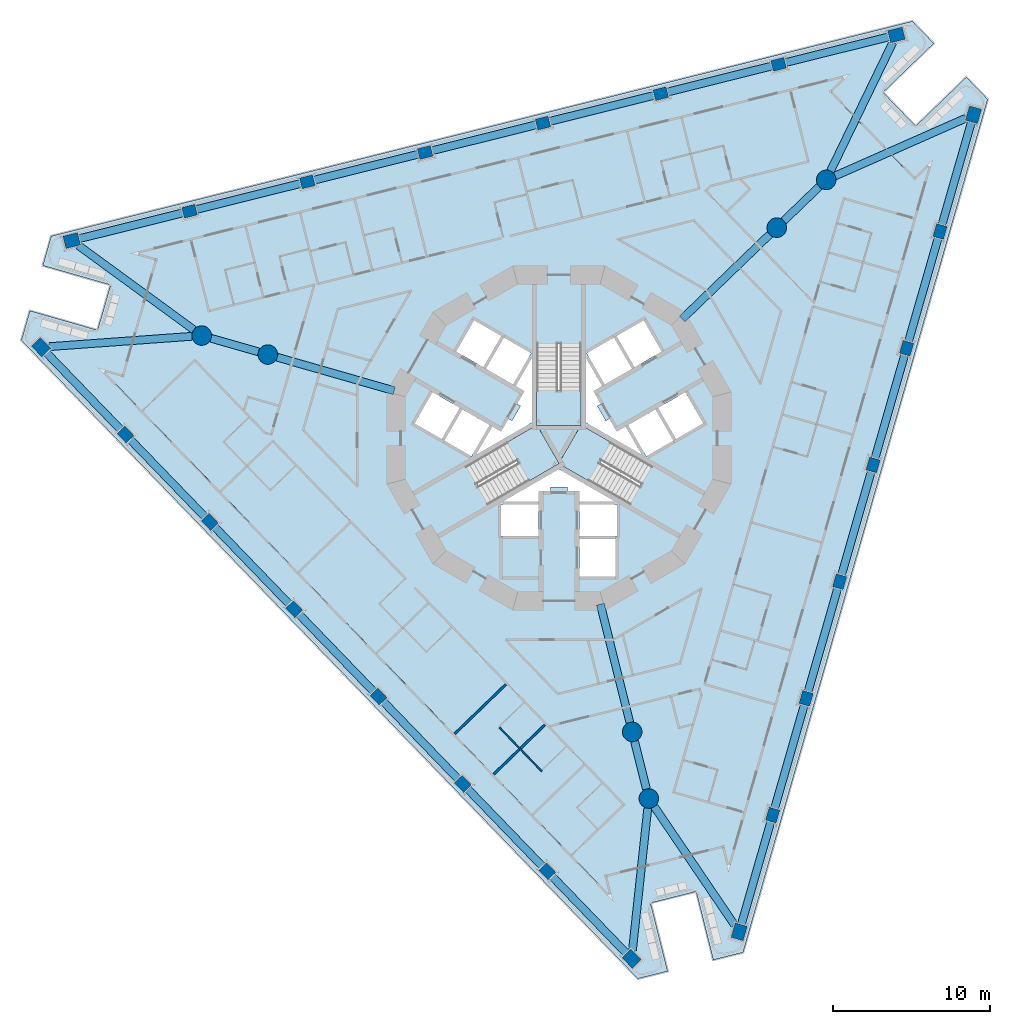
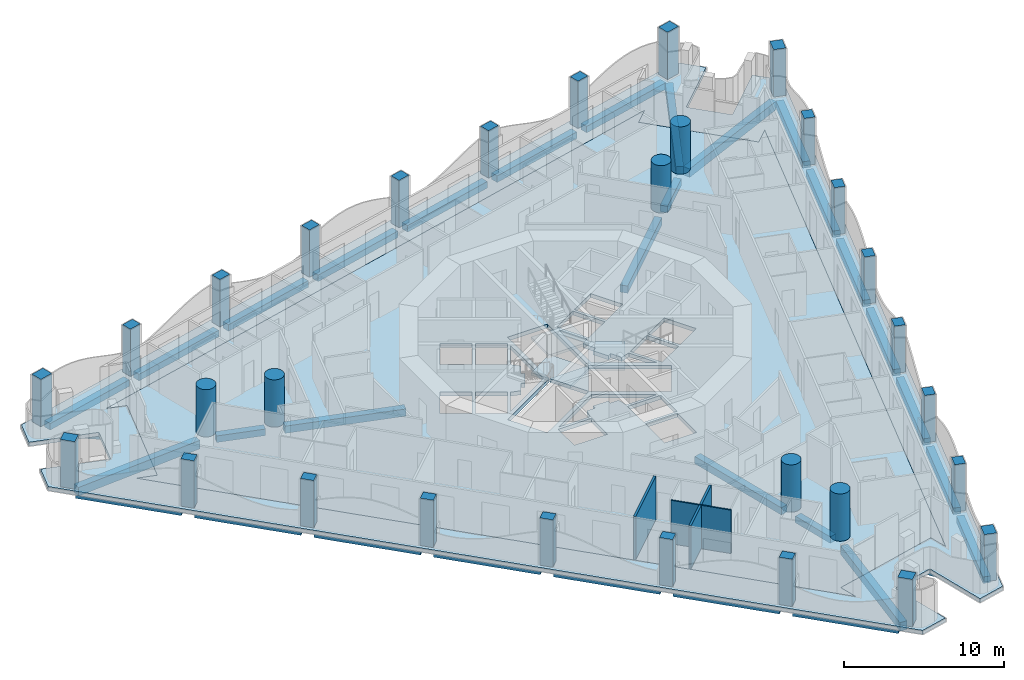
# One storey, part 1 of 18: 33 beams, 30 columns, 6 slabs, 3 walls, 3 elements without a shape of their own.
"""IFC4 building model written with IfcOpenShell, lengths in metres."""

from ifc_helpers import new_model, si_unit, direction, frame, frame_2d, origin, origin_2d, place, context, subcontext, project, spatial, polyline, rectangle, circle, outline, extrude, material, layer, layer_set, material_profile, profile_set, type_object, element, aggregate, save


model = new_model("IFC4")

# Units and contexts
model_context = context("Model", 3, precision=1e-05, world=origin(), true_north=direction((0.0, 1.0)))
body_context = subcontext(model_context, "Body", "Model", "MODEL_VIEW")
ifc_project = project(units=[si_unit("LENGTHUNIT", "METRE"), si_unit("AREAUNIT", "SQUARE_METRE"), si_unit("VOLUMEUNIT", "CUBIC_METRE"), si_unit("PLANEANGLEUNIT", "RADIAN"), si_unit("MASSUNIT", "GRAM", prefix="KILO")], contexts=[model_context])

# Site, building, storey
site_placement = place(None, origin())
site = spatial("IfcSite", under=ifc_project, at=site_placement, CompositionType="ELEMENT")
building_placement = place(site_placement, origin())
building = spatial("IfcBuilding", under=site, at=building_placement, Name="Trine Commons Tower", CompositionType="ELEMENT")
storey_placement = place(building_placement, frame((0.0, 0.0, 90.89990234375)))
storey = spatial("IfcBuildingStorey", under=building, at=storey_placement, Name="L22", CompositionType="ELEMENT", Elevation=90.89990234375)

# Columns
ifc_material_1 = material(Name="Concrete C70/85", Category="concrete")
ifc_material_profile_1 = material_profile(ifc_material_1, rectangle(XDim=0.85009765625, YDim=0.699951171875, at=origin_2d()), Name="RC 850x700")
ifc_profile_set_1 = profile_set([ifc_material_profile_1], Name="Concrete C70/85")
column_type_1 = type_object("IfcColumnType", Name="RC column 850x700, C70/85", PredefinedType="COLUMN", material=ifc_profile_set_1)
for number, where, z_axis, x_axis, name in (
    (1, (79.251708984375, 34.81640625, 0.0), (0.0, 0.0, 1.0), (-0.694658370459, 0.719339800339, 0.0), "Column PC3-02 L22"),
    (2, (73.86279296875, 40.396728515625, 0.0), (0.0, 0.0, 1.0), (-0.694658370459, 0.719339800339, 0.0), "Column PC3-03 L22"),
    (3, (68.473876953125, 45.977294921875, 0.0), (0.0, 0.0, 1.0), (-0.694658370459, 0.719339800339, 0.0), "Column PC3-04 L22"),
    (4, (63.0849609375, 51.5576171875, 0.0), (0.0, 0.0, 1.0), (-0.694658370459, 0.719339800339, 0.0), "Column PC3-05 L22"),
    (5, (57.696044921875, 57.137939453125, 0.0), (0.0, 0.0, 1.0), (-0.694658370459, 0.719339800339, 0.0), "Column PC3-06 L22"),
    (6, (52.30712890625, 62.71826171875, 0.0), (0.0, 0.0, 1.0), (-0.694658370459, 0.719339800339, 0.0), "Column PC3-07 L22"),
    (7, (56.3994140625, 76.98974609375, 0.0), (0.0, 0.0, 1.0), (0.970295726276, 0.2419218956, 0.0), "Column PC3-10 L22"),
    (8, (63.926513671875, 78.86669921875, 0.0), (0.0, 0.0, 1.0), (0.970295726276, 0.2419218956, 0.0), "Column PC3-11 L22"),
    (9, (71.453857421875, 80.743408203125, 0.0), (0.0, 0.0, 1.0), (0.970295726276, 0.2419218956, 0.0), "Column PC3-12 L22"),
    (10, (78.981201171875, 82.6201171875, 0.0), (0.0, 0.0, 1.0), (0.970295726276, 0.2419218956, 0.0), "Column PC3-13 L22"),
    (11, (86.50830078125, 84.496826171875, 0.0), (0.0, 0.0, 1.0), (0.970295726276, 0.2419218956, 0.0), "Column PC3-14 L22"),
    (12, (94.035400390625, 86.37353515625, 0.0), (0.0, 0.0, 1.0), (0.970295726276, 0.2419218956, 0.0), "Column PC3-15 L22"),
    (13, (104.348876953125, 75.69384765625, 0.0), (0.0, 0.0, 1.0), (0.275637355817, 0.961261695938, 0.0), "Column PC3-18 L22"),
    (14, (102.210693359375, 68.23681640625, 0.0), (0.0, 0.0, 1.0), (0.275637355817, 0.961261695938, 0.0), "Column PC3-19 L22"),
    (15, (100.072265625, 60.779541015625, 0.0), (0.0, 0.0, 1.0), (0.275637355817, 0.961261695938, 0.0), "Column PC3-20 L22"),
    (16, (97.93408203125, 53.322509765625, 0.0), (0.0, 0.0, 1.0), (0.275637355817, 0.961261695938, 0.0), "Column PC3-21 L22"),
    (17, (95.795654296875, 45.865234375, 0.0), (0.0, 0.0, 1.0), (0.275637355817, 0.961261695938, 0.0), "Column PC3-22 L22"),
    (18, (93.657470703125, 38.408203125, 0.0), (0.0, 0.0, 1.0), (0.275637355817, 0.961261695938, 0.0), "Column PC3-23 L22"),
):
    element("IfcColumn", number, at=place(storey_placement, frame(where, z_axis=z_axis, x_axis=x_axis)), inside=storey, type_object=column_type_1, Name=name, PredefinedType="COLUMN", context=body_context, shape_type="SweptSolid", body=[
        extrude(rectangle(XDim=0.85009765625, YDim=0.699951171875, at=origin_2d()), origin(), (0.0, 0.0, 1.0), 3.60009765625),
    ])
ifc_material_profile_2 = material_profile(ifc_material_1, rectangle(XDim=0.949951171875, YDim=0.800048828125, at=origin_2d()), Name="RC 950x800")
ifc_profile_set_2 = profile_set([ifc_material_profile_2], Name="Concrete C70/85")
column_type_2 = type_object("IfcColumnType", Name="RC column 950x800, C70/85", PredefinedType="COLUMN", material=ifc_profile_set_2)
for number, where, z_axis, x_axis, name in (
    (19, (84.640625, 29.236083984375, 0.0), (0.0, 0.0, 1.0), (-0.694658370459, 0.719339800339, 0.0), "Column PC3-01 L22"),
    (20, (46.918212890625, 68.298583984375, 0.0), (0.0, 0.0, 1.0), (-0.694658370459, 0.719339800339, 0.0), "Column PC3-08 L22"),
    (21, (48.872314453125, 75.113037109375, 0.0), (0.0, 0.0, 1.0), (0.970295726276, 0.2419218956, 0.0), "Column PC3-09 L22"),
    (22, (101.562744140625, 88.250244140625, 0.0), (0.0, 0.0, 1.0), (0.970295726276, 0.2419218956, 0.0), "Column PC3-16 L22"),
    (23, (106.4873046875, 83.15087890625, 0.0), (0.0, 0.0, 1.0), (0.275637355817, 0.961261695938, 0.0), "Column PC3-17 L22"),
    (24, (91.51904296875, 30.950927734375, 0.0), (0.0, 0.0, 1.0), (0.275637355817, 0.961261695938, 0.0), "Column PC3-24 L22"),
):
    element("IfcColumn", number, at=place(storey_placement, frame(where, z_axis=z_axis, x_axis=x_axis)), inside=storey, type_object=column_type_2, Name=name, PredefinedType="COLUMN", context=body_context, shape_type="SweptSolid", body=[
        extrude(rectangle(XDim=0.949951171875, YDim=0.800048828125, at=origin_2d()), origin(), (0.0, 0.0, 1.0), 3.60009765625),
    ])
ifc_material_profile_3 = material_profile(ifc_material_1, circle(Radius=0.625, at=origin_2d()), Name="RC round 1250")
ifc_profile_set_3 = profile_set([ifc_material_profile_3], Name="Concrete C70/85")
column_type_3 = type_object("IfcColumnType", Name="RC round column 1250 mm, C70/85", PredefinedType="COLUMN", material=ifc_profile_set_3)
for number, where, z_axis, x_axis, name in (
    (25, (84.6806640625, 43.726806640625, 0.0), (0.0, 0.0, 1.0), (1.0, 0.0, 0.0), "Column WC3-1 L22"),
    (26, (85.742919921875, 39.4658203125, 0.0), (0.0, 0.0, 1.0), (1.0, 0.0, 0.0), "Column WC3-2 L22"),
    (27, (93.917724609375, 75.940185546875, 0.0), (0.0, 0.0, 1.0), (1.0, 0.0, 0.0), "Column WC3-3 L22"),
    (28, (97.07666015625, 78.99072265625, 0.0), (0.0, 0.0, 1.0), (1.0, 0.0, 0.0), "Column WC3-4 L22"),
    (29, (61.401611328125, 67.8330078125, 0.0), (0.0, 0.0, 1.0), (1.0, 0.0, 0.0), "Column WC3-5 L22"),
    (30, (57.180419921875, 69.04345703125, 0.0), (0.0, 0.0, 1.0), (1.0, 0.0, 0.0), "Column WC3-6 L22"),
):
    element("IfcColumn", number, at=place(storey_placement, frame(where, z_axis=z_axis, x_axis=x_axis)), inside=storey, type_object=column_type_3, Name=name, PredefinedType="COLUMN", context=body_context, shape_type="SweptSolid", body=[
        extrude(circle(Radius=0.625, at=origin_2d()), origin(), (0.0, 0.0, 1.0), 3.60009765625),
    ])

# Beams
ifc_material_2 = material(Name="Concrete C50/60", Category="concrete")
ifc_material_profile_4 = material_profile(ifc_material_2, rectangle(XDim=0.5, YDim=0.5, at=origin_2d()), Name="RC 500x500")
ifc_profile_set_4 = profile_set([ifc_material_profile_4], Name="Concrete C50/60")
beam_type_1 = type_object("IfcBeamType", Name="RC beam 500x500, C50/60", PredefinedType="BEAM", material=ifc_profile_set_4)
beam_1_placement = place(storey_placement, frame((84.310791015625, 29.57763671875, -0.5498046875), z_axis=(-0.694663760793, 0.719334594915, 0.0), x_axis=(-0.719334594915, -0.694663760793, 0.0)))
element("IfcBeam", 31, at=beam_1_placement, inside=storey, type_object=beam_type_1, Name="Beam EB3-01 L22", PredefinedType="BEAM", context=body_context, shape_type="SweptSolid", body=[
    extrude(rectangle(XDim=0.5, YDim=0.5, at=origin_2d()), origin(), (0.0, 0.0, 1.0), 6.85791015625),
])
for number, where, z_axis, x_axis, name in (
    (32, (78.95654296875, 35.1220703125, -0.5498046875), (-0.694664521959, 0.719333859854, 0.0), (-0.719333859854, -0.694664521959, 0.0), "Beam EB3-02 L22"),
    (33, (73.567626953125, 40.702392578125, -0.5498046875), (-0.694664521959, 0.719333859854, 0.0), (-0.719333859854, -0.694664521959, 0.0), "Beam EB3-03 L22"),
    (34, (68.1787109375, 46.282958984375, -0.5498046875), (-0.694664521959, 0.719333859854, 0.0), (-0.719333859854, -0.694664521959, 0.0), "Beam EB3-04 L22"),
    (35, (62.789794921875, 51.86328125, -0.5498046875), (-0.694664521959, 0.719333859854, 0.0), (-0.719333859854, -0.694664521959, 0.0), "Beam EB3-05 L22"),
    (36, (57.40087890625, 57.443603515625, -0.5498046875), (-0.694664521959, 0.719333859854, 0.0), (-0.719333859854, -0.694664521959, 0.0), "Beam EB3-06 L22"),
):
    element("IfcBeam", number, at=place(storey_placement, frame(where, z_axis=z_axis, x_axis=x_axis)), inside=storey, type_object=beam_type_1, Name=name, PredefinedType="BEAM", context=body_context, shape_type="SweptSolid", body=[
        extrude(rectangle(XDim=0.5, YDim=0.5, at=origin_2d()), origin(), (0.0, 0.0, 1.0), 6.90771484375),
    ])
for number, where, z_axis, x_axis, name in (
    (37, (52.011962890625, 63.02392578125, -0.5498046875), (-0.694645339139, 0.71935238431, 0.0), (-0.71935238431, -0.694645339139, 0.0), "Beam EB3-07 L22"),
    (38, (49.3330078125, 75.22802734375, -0.5498046875), (0.970299359004, 0.241907325057, 0.0), (-0.241907325057, 0.970299359004, 0.0), "Beam EB3-08 L22"),
):
    element("IfcBeam", number, at=place(storey_placement, frame(where, z_axis=z_axis, x_axis=x_axis)), inside=storey, type_object=beam_type_1, Name=name, PredefinedType="BEAM", context=body_context, shape_type="SweptSolid", body=[
        extrude(rectangle(XDim=0.5, YDim=0.5, at=origin_2d()), origin(), (0.0, 0.0, 1.0), 6.857666015625),
    ])
beam_2_placement = place(storey_placement, frame((56.811767578125, 77.092529296875, -0.5498046875), z_axis=(0.970285783578, 0.241961770093, 0.0), x_axis=(-0.241961770093, 0.970285783578, 0.0)))
element("IfcBeam", 39, at=beam_2_placement, inside=storey, type_object=beam_type_1, Name="Beam EB3-09 L22", PredefinedType="BEAM", context=body_context, shape_type="SweptSolid", body=[
    extrude(rectangle(XDim=0.5, YDim=0.5, at=origin_2d()), origin(), (0.0, 0.0, 1.0), 6.90771484375),
])
for number, where, z_axis, x_axis, name in (
    (40, (64.339111328125, 78.969482421875, -0.5498046875), (0.970302376924, 0.241895219745, 0.0), (-0.241895219745, 0.970302376924, 0.0), "Beam EB3-10 L22"),
    (41, (71.8662109375, 80.84619140625, -0.5498046875), (0.970294080751, 0.241928495346, 0.0), (-0.241928495346, 0.970294080751, 0.0), "Beam EB3-11 L22"),
    (42, (79.3935546875, 82.722900390625, -0.5498046875), (0.970294080751, 0.241928495346, 0.0), (-0.241928495346, 0.970294080751, 0.0), "Beam EB3-12 L22"),
    (43, (86.920654296875, 84.599609375, -0.5498046875), (0.970294080751, 0.241928495346, 0.0), (-0.241928495346, 0.970294080751, 0.0), "Beam EB3-13 L22"),
):
    element("IfcBeam", number, at=place(storey_placement, frame(where, z_axis=z_axis, x_axis=x_axis)), inside=storey, type_object=beam_type_1, Name=name, PredefinedType="BEAM", context=body_context, shape_type="SweptSolid", body=[
        extrude(rectangle(XDim=0.5, YDim=0.5, at=origin_2d()), origin(), (0.0, 0.0, 1.0), 6.907470703125),
    ])
for number, where, z_axis, x_axis, name in (
    (44, (94.447998046875, 86.476318359375, -0.5498046875), (0.970288918196, 0.241949199679, 0.0), (-0.241949199679, 0.970288918196, 0.0), "Beam EB3-14 L22"),
    (45, (106.356201171875, 82.6943359375, -0.5498046875), (-0.275623797229, -0.961265583697, 0.0), (0.961265583697, -0.275623797229, 0.0), "Beam EB3-15 L22"),
):
    element("IfcBeam", number, at=place(storey_placement, frame(where, z_axis=z_axis, x_axis=x_axis)), inside=storey, type_object=beam_type_1, Name=name, PredefinedType="BEAM", context=body_context, shape_type="SweptSolid", body=[
        extrude(rectangle(XDim=0.5, YDim=0.5, at=origin_2d()), origin(), (0.0, 0.0, 1.0), 6.857666015625),
    ])
for number, where, z_axis, x_axis, name in (
    (46, (104.231689453125, 75.285400390625, -0.5498046875), (-0.275640588881, -0.961260768866, 0.0), (0.961260768866, -0.275640588881, 0.0), "Beam EB3-16 L22"),
    (47, (102.093505859375, 67.828125, -0.5498046875), (-0.275640588881, -0.961260768866, 0.0), (0.961260768866, -0.275640588881, 0.0), "Beam EB3-17 L22"),
    (48, (99.955078125, 60.37109375, -0.5498046875), (-0.275640588881, -0.961260768866, 0.0), (0.961260768866, -0.275640588881, 0.0), "Beam EB3-18 L22"),
    (49, (97.81689453125, 52.913818359375, -0.5498046875), (-0.275640588881, -0.961260768866, 0.0), (0.961260768866, -0.275640588881, 0.0), "Beam EB3-19 L22"),
    (50, (95.6787109375, 45.456787109375, -0.5498046875), (-0.275673246186, -0.961251403816, 0.0), (0.961251403816, -0.275673246186, 0.0), "Beam EB3-20 L22"),
):
    element("IfcBeam", number, at=place(storey_placement, frame(where, z_axis=z_axis, x_axis=x_axis)), inside=storey, type_object=beam_type_1, Name=name, PredefinedType="BEAM", context=body_context, shape_type="SweptSolid", body=[
        extrude(rectangle(XDim=0.5, YDim=0.5, at=origin_2d()), origin(), (0.0, 0.0, 1.0), 6.90771484375),
    ])
beam_3_placement = place(storey_placement, frame((93.540283203125, 37.99951171875, -0.5498046875), z_axis=(-0.275666126975, -0.961253445476, 0.0), x_axis=(0.961253445476, -0.275666126975, 0.0)))
element("IfcBeam", 51, at=beam_3_placement, inside=storey, type_object=beam_type_1, Name="Beam EB3-21 L22", PredefinedType="BEAM", context=body_context, shape_type="SweptSolid", body=[
    extrude(rectangle(XDim=0.5, YDim=0.5, at=origin_2d()), origin(), (0.0, 0.0, 1.0), 6.857421875),
])
beam_4_placement = place(storey_placement, frame((84.831787109375, 43.12109375, -0.5498046875), z_axis=(0.241895853777, -0.97030221886, 0.0), x_axis=(0.97030221886, 0.241895853777, 0.0)))
element("IfcBeam", 52, at=beam_4_placement, inside=storey, type_object=beam_type_1, Name="Beam RB3-02 L22", PredefinedType="BEAM", context=body_context, shape_type="SweptSolid", body=[
    extrude(rectangle(XDim=0.5, YDim=0.5, at=origin_2d()), origin(), (0.0, 0.0, 1.0), 3.142822265625),
])
beam_5_placement = place(storey_placement, frame((94.366943359375, 76.3740234375, -0.5498046875), z_axis=(0.719314434863, 0.694684636218, 0.0), x_axis=(-0.694684636218, 0.719314434863, 0.0)))
element("IfcBeam", 53, at=beam_5_placement, inside=storey, type_object=beam_type_1, Name="Beam RB3-04 L22", PredefinedType="BEAM", context=body_context, shape_type="SweptSolid", body=[
    extrude(rectangle(XDim=0.5, YDim=0.5, at=origin_2d()), origin(), (0.0, 0.0, 1.0), 3.142333984375),
])
beam_6_placement = place(storey_placement, frame((60.80126953125, 68.005126953125, -0.5498046875), z_axis=(-0.961274333375, 0.275593280026, 0.0), x_axis=(-0.275593280026, -0.961274333375, 0.0)))
element("IfcBeam", 54, at=beam_6_placement, inside=storey, type_object=beam_type_1, Name="Beam RB3-06 L22", PredefinedType="BEAM", context=body_context, shape_type="SweptSolid", body=[
    extrude(rectangle(XDim=0.5, YDim=0.5, at=origin_2d()), origin(), (0.0, 0.0, 1.0), 3.14208984375),
])
ifc_material_profile_5 = material_profile(ifc_material_2, rectangle(XDim=0.5, YDim=0.550048828125, at=origin_2d()), Name="RC 500x550")
ifc_profile_set_5 = profile_set([ifc_material_profile_5], Name="Concrete C50/60")
beam_type_2 = type_object("IfcBeamType", Name="RC beam 500x550, C50/60", PredefinedType="BEAM", material=ifc_profile_set_5)
beam_7_placement = place(storey_placement, frame((82.648681640625, 51.876708984375, -0.574951171875), z_axis=(0.241937131507, -0.970291927411, 0.0), x_axis=(0.970291927411, 0.241937131507, 0.0)))
element("IfcBeam", 55, at=beam_7_placement, inside=storey, type_object=beam_type_2, Name="Beam RB3-01 L22", PredefinedType="BEAM", context=body_context, shape_type="SweptSolid", body=[
    extrude(rectangle(XDim=0.5, YDim=0.550048828125, at=origin_2d()), origin(), (0.0, 0.0, 1.0), 7.775146484375),
])
beam_8_placement = place(storey_placement, frame((87.875732421875, 70.105712890625, -0.574951171875), z_axis=(0.719355467287, 0.694642146493, 0.0), x_axis=(-0.694642146493, 0.719355467287, 0.0)))
element("IfcBeam", 56, at=beam_8_placement, inside=storey, type_object=beam_type_2, Name="Beam RB3-03 L22", PredefinedType="BEAM", context=body_context, shape_type="SweptSolid", body=[
    extrude(rectangle(XDim=0.5, YDim=0.550048828125, at=origin_2d()), origin(), (0.0, 0.0, 1.0), 7.774658203125),
])
beam_9_placement = place(storey_placement, frame((69.4755859375, 65.517822265625, -0.574951171875), z_axis=(-0.961260445822, 0.275641715452, 0.0), x_axis=(-0.275641715452, -0.961260445822, 0.0)))
element("IfcBeam", 57, at=beam_9_placement, inside=storey, type_object=beam_type_2, Name="Beam RB3-05 L22", PredefinedType="BEAM", context=body_context, shape_type="SweptSolid", body=[
    extrude(rectangle(XDim=0.5, YDim=0.550048828125, at=origin_2d()), origin(), (0.0, 0.0, 1.0), 7.77490234375),
])
ifc_material_profile_6 = material_profile(ifc_material_2, rectangle(XDim=0.5, YDim=0.64990234375, at=origin_2d()), Name="RC 500x650")
ifc_profile_set_6 = profile_set([ifc_material_profile_6], Name="Concrete C50/60")
beam_type_3 = type_object("IfcBeamType", Name="RC beam 500x650, C50/60", PredefinedType="BEAM", material=ifc_profile_set_6)
for number, where, z_axis, x_axis, name in (
    (58, (47.437744140625, 68.33642578125, -0.625), (0.997376868149, 0.07238358157, 0.0), (-0.07238358157, 0.997376868149, 0.0), "Beam CB3-01 L22"),
    (59, (49.29296875, 74.8056640625, -0.625), (0.807466452888, -0.589913491506, 0.0), (0.589913491506, 0.807466452888, 0.0), "Beam CB3-02 L22"),
    (60, (101.33544921875, 87.781494140625, -0.625), (-0.435985897384, -0.899953497289, 0.0), (0.899953497289, -0.435985897384, 0.0), "Beam CB3-03 L22"),
    (61, (106.0107421875, 82.940185546875, -0.625), (-0.914616807383, -0.404321772419, 0.0), (0.404321772419, -0.914616807383, 0.0), "Beam CB3-04 L22"),
):
    element("IfcBeam", number, at=place(storey_placement, frame(where, z_axis=z_axis, x_axis=x_axis)), inside=storey, type_object=beam_type_3, Name=name, PredefinedType="BEAM", context=body_context, shape_type="SweptSolid", body=[
        extrude(rectangle(XDim=0.5, YDim=0.64990234375, at=origin_2d()), origin(), (0.0, 0.0, 1.0), 9.143798828125),
    ])
beam_10_placement = place(storey_placement, frame((91.2265625, 31.382080078125, -0.625), z_axis=(-0.561374083617, 0.827562165788, 0.0), x_axis=(-0.827562165788, -0.561374083617, 0.0)))
element("IfcBeam", 62, at=beam_10_placement, inside=storey, type_object=beam_type_3, Name="Beam CB3-05 L22", PredefinedType="BEAM", context=body_context, shape_type="SweptSolid", body=[
    extrude(rectangle(XDim=0.5, YDim=0.64990234375, at=origin_2d()), origin(), (0.0, 0.0, 1.0), 9.143310546875),
])
beam_11_placement = place(storey_placement, frame((84.696533203125, 29.75390625, -0.625), z_axis=(0.107125177559, 0.994245541269, 0.0), x_axis=(-0.994245541269, 0.107125177559, 0.0)))
element("IfcBeam", 63, at=beam_11_placement, inside=storey, type_object=beam_type_3, Name="Beam CB3-06 L22", PredefinedType="BEAM", context=body_context, shape_type="SweptSolid", body=[
    extrude(rectangle(XDim=0.5, YDim=0.64990234375, at=origin_2d()), origin(), (0.0, 0.0, 1.0), 9.1435546875),
])

# Slabs
ifc_layer_1 = layer(ifc_material_2, 0.300048828125)
ifc_layer_set_1 = layer_set([ifc_layer_1], Name="Concrete C50/60")
slab_type_1 = type_object("IfcSlabType", Name="Loggia slab 300 mm, C50/60", PredefinedType="FLOOR", material=ifc_layer_set_1)
slab_1_placement = place(storey_placement, frame((0.0, 0.0, -0.2998046875)))
element("IfcSlab", 64, at=slab_1_placement, inside=storey, type_object=slab_type_1, Name="Loggia slab L22", PredefinedType="FLOOR", context=body_context, shape_type="SweptSolid", body=[
    extrude(outline(polyline([(91.764892578125, 29.632080078125), (107.394775390625, 84.13916015625), (106.0302734375, 85.552001953125), (102.793212890625, 82.426025390625), (100.709228515625, 84.583984375), (103.9462890625, 87.7099609375), (102.581787109375, 89.122802734375), (47.562744140625, 75.405029296875), (47.021240234375, 73.516845703125), (51.346923828125, 72.276611328125), (50.52001953125, 69.392822265625), (46.1943359375, 70.63330078125), (45.653076171875, 68.7451171875), (85.04248046875, 27.9560546875), (86.948486328125, 28.43115234375), (85.85986328125, 32.797607421875), (88.7705078125, 33.523193359375), (89.859375, 29.156982421875), (91.764892578125, 29.632080078125)]), holes=[polyline([(83.27587890625, 33.240478515625), (82.950439453125, 34.545654296875), (90.518798828125, 36.4326171875), (90.843994140625, 35.12744140625), (103.701416015625, 79.966796875), (102.73388671875, 79.032470703125), (97.315673828125, 84.643310546875), (98.283203125, 85.577392578125), (53.022705078125, 74.292724609375), (54.3154296875, 73.922119140625), (52.16552734375, 66.42431640625), (50.872802734375, 66.794921875), (83.27587890625, 33.240478515625)])]), origin(), (0.0, 0.0, 1.0), 0.2998046875),
])
ifc_layer_2 = layer(ifc_material_2, 0.300048828125)
ifc_layer_set_2 = layer_set([ifc_layer_2], Name="Concrete C50/60")
slab_type_2 = type_object("IfcSlabType", Name="PT flat slab 300 mm, C50/60", PredefinedType="FLOOR", material=ifc_layer_set_2)
slab_2_placement = place(storey_placement, frame((0.0, 0.0, -0.2998046875)))
element("IfcSlab", 65, at=slab_2_placement, inside=storey, type_object=slab_type_2, Name="Floor slab L22", PredefinedType="FLOOR", context=body_context, shape_type="SweptSolid", body=[
    extrude(outline(polyline([(50.872802734375, 66.794921875), (83.27587890625, 33.240478515625), (82.950439453125, 34.545654296875), (90.518798828125, 36.4326171875), (90.843994140625, 35.12744140625), (103.701416015625, 79.966796875), (102.73388671875, 79.032470703125), (97.315673828125, 84.643310546875), (98.283203125, 85.577392578125), (53.022705078125, 74.292724609375), (54.3154296875, 73.922119140625), (52.16552734375, 66.42431640625), (50.872802734375, 66.794921875)]), holes=[polyline([(76.300048828125, 56.25), (78.699951171875, 56.25), (78.699951171875, 58.25), (76.300048828125, 58.25), (76.300048828125, 56.25)]), polyline([(81.14990234375, 59.10009765625), (81.300048828125, 58.449951171875), (83.56494140625, 58.449951171875), (80.0, 60.508056640625), (76.43505859375, 58.449951171875), (78.699951171875, 58.449951171875), (78.85009765625, 59.10009765625), (79.449951171875, 59.10009765625), (79.449951171875, 59.360107421875), (80.550048828125, 59.360107421875), (80.550048828125, 59.10009765625), (81.14990234375, 59.10009765625)]), polyline([(80.0, 60.8544921875), (84.4755859375, 58.2705078125), (85.900390625, 60.73876953125), (81.425048828125, 63.32275390625), (81.425048828125, 68.490478515625), (78.574951171875, 68.490478515625), (78.574951171875, 63.32275390625), (74.099609375, 60.73876953125), (75.5244140625, 58.2705078125), (80.0, 60.8544921875)]), polyline([(73.83740234375, 64.325927734375), (72.687255859375, 62.333984375), (74.41943359375, 61.333984375), (75.5693359375, 63.325927734375), (73.83740234375, 64.325927734375)]), polyline([(71.93212890625, 65.426025390625), (70.781982421875, 63.43408203125), (72.51416015625, 62.43408203125), (73.6640625, 64.426025390625), (71.93212890625, 65.426025390625)]), polyline([(76.781005859375, 63.722900390625), (76.381103515625, 63.031005859375), (75.742919921875, 63.22607421875), (74.7099609375, 61.43798828125), (78.27490234375, 63.49609375), (78.27490234375, 67.612060546875), (77.242919921875, 65.823974609375), (77.73095703125, 65.368896484375), (77.3310546875, 64.676025390625), (77.555908203125, 64.5458984375), (77.006103515625, 63.593994140625), (76.781005859375, 63.722900390625)]), polyline([(76.4873046875, 68.916015625), (75.33740234375, 66.924072265625), (77.0693359375, 65.924072265625), (78.219482421875, 67.916015625), (76.4873046875, 68.916015625)]), polyline([(74.58203125, 70.015869140625), (73.43212890625, 68.02392578125), (75.1640625, 67.02392578125), (76.314208984375, 69.015869140625), (74.58203125, 70.015869140625)]), polyline([(81.300048828125, 53.64990234375), (83.60009765625, 53.64990234375), (83.60009765625, 56.050048828125), (81.300048828125, 56.050048828125), (81.300048828125, 53.64990234375)]), polyline([(81.300048828125, 56.25), (83.699951171875, 56.25), (83.699951171875, 58.25), (81.300048828125, 58.25), (81.300048828125, 56.25)]), polyline([(87.312744140625, 62.333984375), (86.16259765625, 64.325927734375), (84.4306640625, 63.325927734375), (85.58056640625, 61.333984375), (87.312744140625, 62.333984375)]), polyline([(89.218017578125, 63.43408203125), (88.06787109375, 65.426025390625), (86.3359375, 64.426025390625), (87.48583984375, 62.43408203125), (89.218017578125, 63.43408203125)]), polyline([(83.243896484375, 63.738037109375), (82.993896484375, 63.593994140625), (82.444091796875, 64.5458984375), (82.72705078125, 64.7099609375), (82.281005859375, 65.549072265625), (82.757080078125, 65.823974609375), (81.72509765625, 67.612060546875), (81.72509765625, 63.49609375), (85.2900390625, 61.43798828125), (84.257080078125, 63.22607421875), (83.618896484375, 63.031005859375), (83.243896484375, 63.738037109375)]), polyline([(82.9306640625, 65.924072265625), (84.66259765625, 66.924072265625), (83.5126953125, 68.916015625), (81.780517578125, 67.916015625), (82.9306640625, 65.924072265625)]), polyline([(84.8359375, 67.02392578125), (86.56787109375, 68.02392578125), (85.41796875, 70.015869140625), (83.685791015625, 69.015869140625), (84.8359375, 67.02392578125)])]), origin(), (0.0, 0.0, 1.0), 0.2998046875),
])
slab_3_placement = place(storey_placement, frame((0.0, 0.0, -0.2998046875)))
element("IfcSlab", 66, at=slab_3_placement, inside=storey, type_object=slab_type_2, Name="Floor slab L22 2", PredefinedType="FLOOR", context=body_context, shape_type="SweptSolid", body=[
    extrude(outline(polyline([(78.61328125, 63.300537109375), (80.0, 60.89892578125), (81.38671875, 63.300537109375), (78.61328125, 63.300537109375)])), origin(), (0.0, 0.0, 1.0), 0.2998046875),
])

# Stair, slab
stair_type = type_object("IfcStairType", Name="Exit stair, dog-leg, 24 risers of 150 mm", PredefinedType="HALF_TURN_STAIR", material=ifc_material_2)
stair_1_placement = place(storey_placement, origin())
stair_1 = element("IfcStair", 67, at=stair_1_placement, inside=storey, type_object=stair_type, Name="L22 Exit stair ST1A", PredefinedType="HALF_TURN_STAIR")
ifc_layer_3 = layer(ifc_material_2, 0.199951171875)
ifc_layer_set_3 = layer_set([ifc_layer_3], Name="Concrete C50/60")
slab_type_3 = type_object("IfcSlabType", Name="Stair landing slab 200 mm, C50/60", PredefinedType="LANDING", material=ifc_layer_set_3)
slab_4_placement = place(storey_placement, frame((0.0, 0.0, 1.60009765625)))
slab_4 = element("IfcSlab", 68, at=slab_4_placement, type_object=slab_type_3, Name="ST1A landing 1", PredefinedType="LANDING", context=body_context, shape_type="SweptSolid", body=[
    extrude(outline(polyline([(78.574951171875, 65.570556640625), (78.574951171875, 63.300537109375), (81.425048828125, 63.300537109375), (81.425048828125, 65.570556640625), (78.574951171875, 65.570556640625)])), origin(), (0.0, 0.0, 1.0), 0.199951171875),
])
aggregate(stair_1, [slab_4])

stair_2_placement = place(storey_placement, origin())
stair_2 = element("IfcStair", 69, at=stair_2_placement, inside=storey, type_object=stair_type, Name="L22 Exit stair ST2A", PredefinedType="HALF_TURN_STAIR")
slab_5_placement = place(storey_placement, frame((0.0, 0.0, 1.60009765625)))
slab_5 = element("IfcSlab", 70, at=slab_5_placement, type_object=slab_type_3, Name="ST2A landing 1", PredefinedType="LANDING", context=body_context, shape_type="SweptSolid", body=[
    extrude(outline(polyline([(78.05322265625, 59.730712890625), (80.019287109375, 60.86572265625), (78.59423828125, 63.333740234375), (76.628173828125, 62.19873046875), (78.05322265625, 59.730712890625)])), origin(), (0.0, 0.0, 1.0), 0.199951171875),
])
aggregate(stair_2, [slab_5])

stair_3_placement = place(storey_placement, origin())
stair_3 = element("IfcStair", 71, at=stair_3_placement, inside=storey, type_object=stair_type, Name="L22 Exit stair ST3A", PredefinedType="HALF_TURN_STAIR")
slab_6_placement = place(storey_placement, frame((0.0, 0.0, 1.60009765625)))
slab_6 = element("IfcSlab", 72, at=slab_6_placement, type_object=slab_type_3, Name="ST3A landing 1", PredefinedType="LANDING", context=body_context, shape_type="SweptSolid", body=[
    extrude(outline(polyline([(83.371826171875, 62.19873046875), (81.40576171875, 63.333740234375), (79.980712890625, 60.86572265625), (81.94677734375, 59.730712890625), (83.371826171875, 62.19873046875)])), origin(), (0.0, 0.0, 1.0), 0.199951171875),
])
aggregate(stair_3, [slab_6])

# Walls
ifc_material_3 = material(Name="Gypsum plasterboard on steel stud", Category="steel")
ifc_layer_4 = layer(ifc_material_3, 0.14990234375)
ifc_layer_set_4 = layer_set([ifc_layer_4], Name="Gypsum plasterboard on steel stud")
wall_type_1 = type_object("IfcWallType", Name="Unit and corridor wall 150 mm, EI 60", PredefinedType="PARTITIONING", material=ifc_layer_set_4)
wall_1_placement = place(storey_placement, frame((73.334716796875, 43.5927734375, 0.0), z_axis=(0.0, 0.0, 1.0), x_axis=(0.719252426756, 0.694748837067, 0.0)))
element("IfcWall", 73, at=wall_1_placement, inside=storey, type_object=wall_type_1, Name="Partition 051", PredefinedType="PARTITIONING", context=body_context, shape_type="SweptSolid", body=[
    extrude(rectangle(XDim=4.5732421875, YDim=0.14990234375, at=frame_2d((2.28662109375, 0.0))), origin(), (0.0, 0.0, 1.0), 3.300048828125),
])
wall_2_placement = place(storey_placement, frame((75.826904296875, 41.01171875, 0.0), z_axis=(0.0, 0.0, 1.0), x_axis=(0.719333374814, 0.694665024223, 0.0)))
element("IfcWall", 74, at=wall_2_placement, inside=storey, type_object=wall_type_1, Name="Partition 052", PredefinedType="PARTITIONING", context=body_context, shape_type="SweptSolid", body=[
    extrude(rectangle(XDim=4.572265625, YDim=0.14990234375, at=frame_2d((2.2861328125, 0.0))), origin(), (0.0, 0.0, 1.0), 3.300048828125),
])
ifc_layer_5 = layer(ifc_material_3, 0.10009765625)
ifc_layer_set_5 = layer_set([ifc_layer_5], Name="Gypsum plasterboard on steel stud")
wall_type_2 = type_object("IfcWallType", Name="Unit partition 100 mm, no rating", PredefinedType="PARTITIONING", material=ifc_layer_set_5)
wall_3_placement = place(storey_placement, frame((76.19580078125, 44.009033203125, 0.0), z_axis=(0.0, 0.0, 1.0), x_axis=(0.694697299155, -0.719302205298, 0.0)))
element("IfcWall", 75, at=wall_3_placement, inside=storey, type_object=wall_type_2, Name="Partition 056", PredefinedType="PARTITIONING", context=body_context, shape_type="SweptSolid", body=[
    extrude(rectangle(XDim=3.8994140625, YDim=0.10009765625, at=frame_2d((1.94970703125, 0.0))), origin(), (0.0, 0.0, 1.0), 3.300048828125),
])

save(model, "model.ifc")
